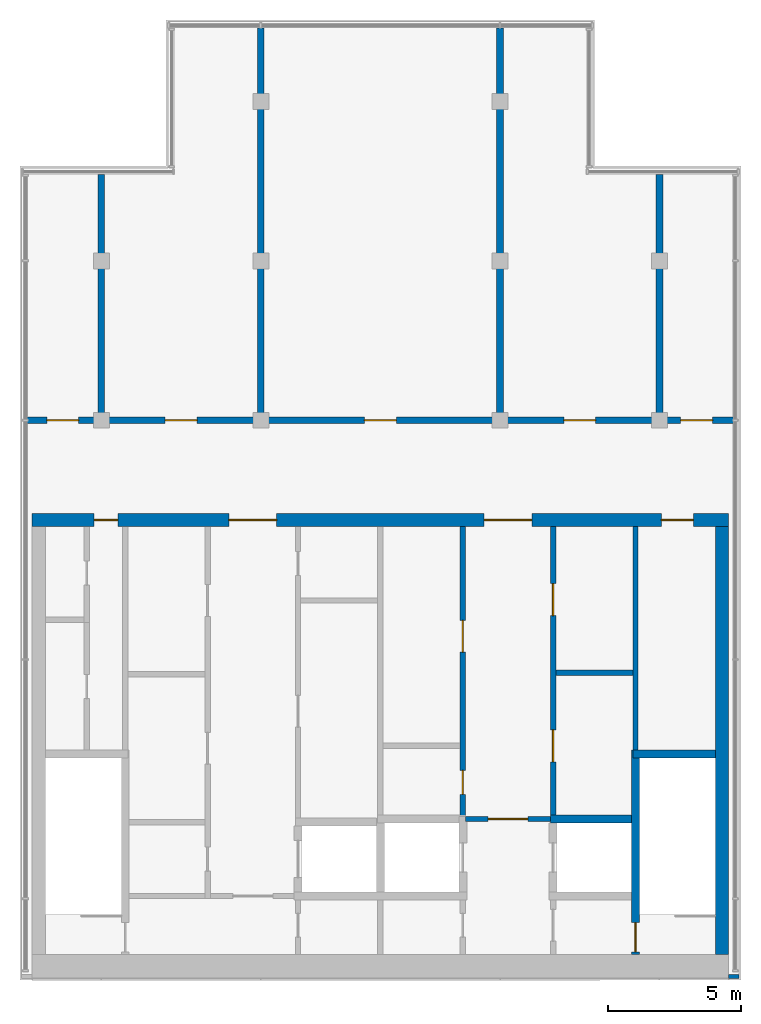
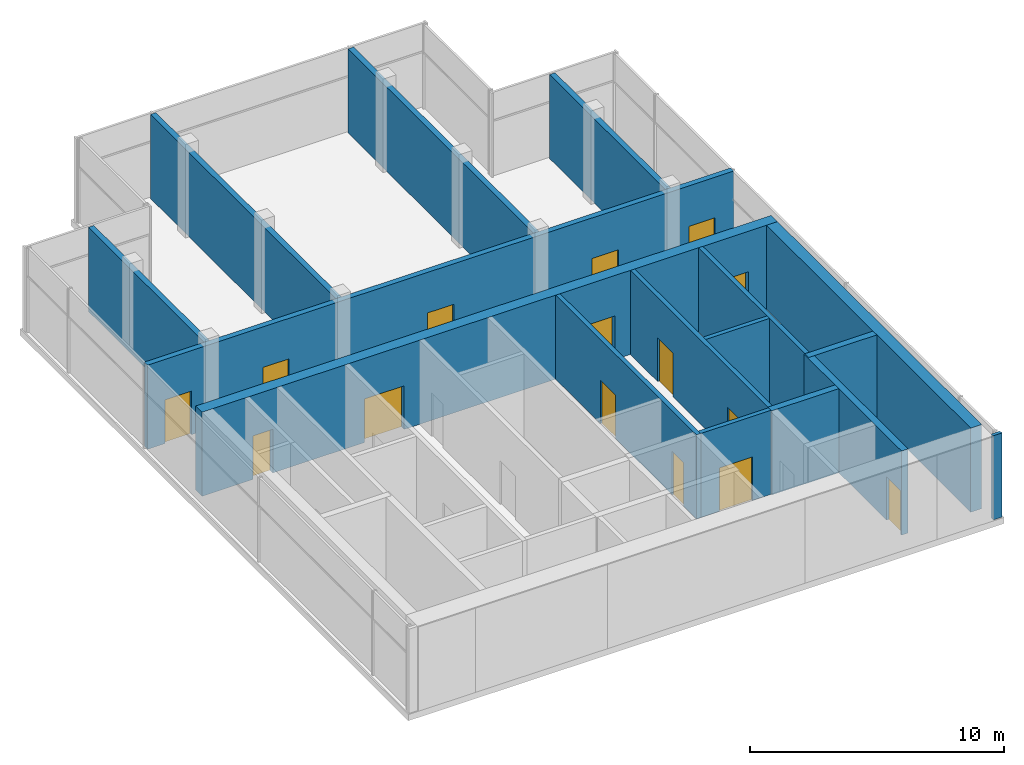
# One storey, part 3 of 4: 16 walls, 15 doors, 15 openings.
"""IFC4 building model written with IfcOpenShell, lengths in metres."""

import ifcopenshell
import ifcopenshell.guid

model = None  # the IFC model being written
_history = None  # IfcOwnerHistory: only IFC2X3 demands one
_inside = {}  # id of a spatial element -> (the spatial element, [elements in it])
_under = {}  # id of a project, library or spatial element -> (it, [spatial elements below it])
_declared = {}  # id of a project -> (the project, [libraries it declares])
_typed = {}  # id of a type object -> (the type object, [elements of that type])
_made_of = {}  # id of a material, layer set ... -> (it, [elements and type objects made of it])


def new_model(schema):
    """Start an empty IFC model of exactly this schema.

    Asked for "IFC4X3", IfcOpenShell would pick the latest addendum, in which some entities
    have other attributes; the version numbers below select the first issue.
    IFC2X3 requires an IfcOwnerHistory on every rooted entity: one is made here for all.
    """
    global model, _history
    if schema == "IFC4X3":
        model = ifcopenshell.file(schema_version=(4, 3, 0, 0))
    else:
        model = ifcopenshell.file(schema=schema)
    _inside.clear()
    _under.clear()
    _declared.clear()
    _typed.clear()
    _made_of.clear()
    _history = None
    if model.schema == "IFC2X3":
        org = make("IfcOrganization", Name="unknown")
        user = make(
            "IfcPersonAndOrganization",
            ThePerson=make("IfcPerson", FamilyName="unknown"),
            TheOrganization=org,
        )
        app = make(
            "IfcApplication",
            ApplicationDeveloper=org,
            Version="unknown",
            ApplicationFullName="unknown",
            ApplicationIdentifier="unknown",
        )
        _history = make(
            "IfcOwnerHistory",
            OwningUser=user,
            OwningApplication=app,
            ChangeAction="ADDED",
            CreationDate=0,
        )
    return model


def make(cls, **values):
    """One entity of the class cls with the attributes given. An attribute that is None is left unset."""
    return model.create_entity(
        cls, **{name: value for name, value in values.items() if value is not None}
    )


def rooted(cls, **values):
    """An entity with a GlobalId (a new one), such as an element, a storey or a relation."""
    return make(cls, GlobalId=ifcopenshell.guid.new(), OwnerHistory=_history, **values)


def si_unit(unit_type, name, prefix=None):
    """IfcSIUnit, for example si_unit("LENGTHUNIT", "METRE", prefix="MILLI")."""
    return make("IfcSIUnit", UnitType=unit_type, Prefix=prefix, Name=name)


def assignment(units):
    """IfcUnitAssignment: the units of a project."""
    return None if units is None else make("IfcUnitAssignment", Units=units)


def point(xyz):
    """IfcCartesianPoint."""
    return None if xyz is None else make("IfcCartesianPoint", Coordinates=xyz)


def direction(xyz):
    """IfcDirection."""
    return None if xyz is None else make("IfcDirection", DirectionRatios=xyz)


def frame(location, z_axis=None, x_axis=None):
    """IfcAxis2Placement3D, a coordinate frame: its origin and axes. An axis left out is left unset."""
    return make(
        "IfcAxis2Placement3D",
        Location=point(location),
        Axis=direction(z_axis),
        RefDirection=direction(x_axis),
    )


def frame_2d(location, x_axis=None):
    """IfcAxis2Placement2D, a coordinate frame in the plane: its origin and x axis."""
    return make(
        "IfcAxis2Placement2D", Location=point(location), RefDirection=direction(x_axis)
    )


def origin():
    """The frame at (0, 0, 0) with its axes left unset."""
    return frame((0.0, 0.0, 0.0))


def place(relative_to, where):
    """IfcLocalPlacement: puts the frame where relative to a parent placement (None: the world)."""
    return make(
        "IfcLocalPlacement", PlacementRelTo=relative_to, RelativePlacement=where
    )


def context(
    kind, dimensions, precision=None, world=None, true_north=None, identifier=None
):
    """IfcGeometricRepresentationContext, for example the 3D "Model" context."""
    return make(
        "IfcGeometricRepresentationContext",
        ContextIdentifier=identifier,
        ContextType=kind,
        CoordinateSpaceDimension=dimensions,
        Precision=precision,
        WorldCoordinateSystem=world,
        TrueNorth=true_north,
    )


def subcontext(parent, identifier, kind, view, scale=None):
    """IfcGeometricRepresentationSubContext, for example "Body" below "Model"."""
    return make(
        "IfcGeometricRepresentationSubContext",
        ContextIdentifier=identifier,
        ContextType=kind,
        ParentContext=parent,
        TargetScale=scale,
        TargetView=view,
    )


def project(units=None, contexts=None):
    """IfcProject with its units and contexts."""
    return rooted(
        "IfcProject",
        Name="project",
        RepresentationContexts=contexts,
        UnitsInContext=assignment(units),
    )


def spatial(cls, under=None, at=None, **own):
    """A site, building, storey or space (cls), placed at a placement, below another one or the project."""
    s = rooted(cls, ObjectPlacement=at, **own)
    if under is not None:
        _under.setdefault(under.id(), (under, []))[1].append(s)
    return s


def profile(cls, at=None, kind="AREA", **sizes):
    """A parametric profile (cls). Its sizes go by their IFC names, for example OverallWidth=200.0."""
    return make(cls, ProfileType=kind, Position=at, **sizes)


def rectangle(**sizes):
    """IfcRectangleProfileDef."""
    return profile("IfcRectangleProfileDef", **sizes)


def extrude(swept, where, along, depth):
    """IfcExtrudedAreaSolid: the profile swept, set in the frame where, extruded along a direction by depth."""
    return make(
        "IfcExtrudedAreaSolid",
        SweptArea=swept,
        Position=where,
        ExtrudedDirection=direction(along),
        Depth=depth,
    )


def shape(context_of_items, identifier, shape_type, items):
    """IfcShapeRepresentation: the items that make up one representation, for example the "Body"."""
    return make(
        "IfcShapeRepresentation",
        ContextOfItems=context_of_items,
        RepresentationIdentifier=identifier,
        RepresentationType=shape_type,
        Items=items,
    )


def material(Name=None, Category=None):
    """IfcMaterial."""
    return make("IfcMaterial", Name=Name, Category=Category)


def layer(
    of_material, thickness, ventilated=None, Name=None, Category=None, Priority=None
):
    """IfcMaterialLayer: one layer of a wall or slab, of a material (None: an air gap)."""
    return make(
        "IfcMaterialLayer",
        Material=of_material,
        LayerThickness=thickness,
        IsVentilated=ventilated,
        Name=Name,
        Category=Category,
        Priority=Priority,
    )


def layer_set(layers, Name=None):
    """IfcMaterialLayerSet."""
    return make("IfcMaterialLayerSet", MaterialLayers=layers, LayerSetName=Name)


def made_of(thing, what):
    """Note that an element or type object is made of a material, layer set ...; save() writes the relation."""
    if what is not None:
        _made_of.setdefault(what.id(), (what, []))[1].append(thing)
    return thing


def type_object(cls, material=None, **own):
    """A type object (cls), such as IfcWallType, which elements share."""
    return made_of(rooted(cls, **own), material)


def element(
    cls,
    number,
    at=None,
    inside=None,
    cuts=None,
    type_object=None,
    material=None,
    context=None,
    identifier="Body",
    shape_type=None,
    held_by="IfcProductDefinitionShape",
    body=None,
    shapes=None,
    **own,
):
    """One element of the class cls, such as IfcWall. Its Tag is "e" and its number.

    at: its placement. inside: the storey or other place that contains it. cuts: it is an
    opening in that element (IfcRelVoidsElement). A single representation is given by context,
    identifier, shape_type and body (its items); several are given by shapes. held_by: the class
    of the entity that holds the representations. save() writes the other relations.
    """
    e = rooted(cls, Tag="e%d" % number, ObjectPlacement=at, **own)
    if body is not None:
        shapes = [shape(context, identifier, shape_type, body)]
    if shapes is not None:
        e.Representation = make(held_by, Representations=shapes)
    if inside is not None:
        _inside.setdefault(inside.id(), (inside, []))[1].append(e)
    if cuts is not None:
        rooted(
            "IfcRelVoidsElement", RelatingBuildingElement=cuts, RelatedOpeningElement=e
        )
    if type_object is not None:
        _typed.setdefault(type_object.id(), (type_object, []))[1].append(e)
    return made_of(e, material)


def fill(opening, filler):
    """IfcRelFillsElement: the door or window that sits in an opening."""
    return rooted(
        "IfcRelFillsElement",
        RelatingOpeningElement=opening,
        RelatedBuildingElement=filler,
    )


def aggregate(whole, parts):
    """IfcRelAggregates: a whole, such as a stair, and the parts it consists of."""
    return rooted("IfcRelAggregates", RelatingObject=whole, RelatedObjects=parts)


def save(model, path):
    """Write the relations noted so far, then the file.

    IfcRelAggregates (storeys below a building ...), IfcRelContainedInSpatialStructure (elements
    in a storey), IfcRelDefinesByType, IfcRelAssociatesMaterial and IfcRelDeclares: one each for
    every whole, place, type object, material and project.
    """
    for whole, parts in _under.values():
        aggregate(whole, parts)
    for where, things in _inside.values():
        rooted(
            "IfcRelContainedInSpatialStructure",
            RelatedElements=things,
            RelatingStructure=where,
        )
    for kind, things in _typed.values():
        rooted("IfcRelDefinesByType", RelatedObjects=things, RelatingType=kind)
    for what, things in _made_of.values():
        rooted("IfcRelAssociatesMaterial", RelatedObjects=things, RelatingMaterial=what)
    for by, libraries in _declared.values():
        rooted("IfcRelDeclares", RelatingContext=by, RelatedDefinitions=libraries)
    model.write(path)


model = new_model("IFC4")

# Units and contexts
model_context = context("Model", 3, precision=1e-05, world=origin(), true_north=direction((0.0, 1.0)))
body_context = subcontext(model_context, "Body", "Model", "MODEL_VIEW")
ifc_project = project(units=[si_unit("LENGTHUNIT", "METRE"), si_unit("AREAUNIT", "SQUARE_METRE"), si_unit("VOLUMEUNIT", "CUBIC_METRE"), si_unit("PLANEANGLEUNIT", "RADIAN"), si_unit("MASSUNIT", "GRAM", prefix="KILO")], contexts=[model_context])

# Site, building, storey
site_placement = place(None, origin())
site = spatial("IfcSite", under=ifc_project, at=site_placement, CompositionType="ELEMENT")
building_placement = place(site_placement, origin())
building = spatial("IfcBuilding", under=site, at=building_placement, Name="Finial Court Residences", CompositionType="ELEMENT")
storey_placement = place(building_placement, frame((0.0, 0.0, 321.199951171875)))
storey = spatial("IfcBuildingStorey", under=building, at=storey_placement, Name="L81", CompositionType="ELEMENT", Elevation=321.199951171875)

# Wall, openings, doors
ifc_material_1 = material(Name="Concrete C50/60", Category="concrete")
ifc_layer_1 = layer(ifc_material_1, 0.5)
ifc_layer_set_1 = layer_set([ifc_layer_1], Name="Core outer wall 500 Concrete C50/60")
wall_type_1 = type_object("IfcWallType", Name="Core outer wall 500 Concrete C50/60", PredefinedType="SHEAR", material=ifc_layer_set_1)
wall_1_placement = place(storey_placement, frame((-13.10009765625, -8.25, 0.0), z_axis=(0.0, 0.0, 1.0), x_axis=(1.0, 0.0, 0.0)))
wall_1 = element("IfcWall", 1, at=wall_1_placement, inside=storey, type_object=wall_type_1, Name="Core outer wall L81-02", PredefinedType="SHEAR", context=body_context, shape_type="SweptSolid", body=[
    extrude(rectangle(XDim=26.2001953125, YDim=0.5, at=frame_2d((13.10009765625, 0.0))), origin(), (0.0, 0.0, 1.0), 4.050048828125),
])
opening_1_placement = place(wall_1_placement, frame((7.39990234375, 0.0, 0.0)))
opening_1 = element("IfcOpeningElement", 2, at=opening_1_placement, cuts=wall_1, Name="Opening L81-C03", PredefinedType="OPENING", context=body_context, shape_type="SweptSolid", body=[
    extrude(rectangle(XDim=1.800048828125, YDim=2.10009765625, at=frame_2d((0.89990234375, 1.050048828125))), frame((0.0, 0.260009765625, 0.0), z_axis=(0.0, -1.0, 0.0), x_axis=(1.0, 0.0, 0.0)), (0.0, 0.0, 1.0), 0.52001953125),
])
opening_2_placement = place(wall_1_placement, frame((17.0, 0.0, 0.0)))
opening_2 = element("IfcOpeningElement", 3, at=opening_2_placement, cuts=wall_1, Name="Opening L81-C04", PredefinedType="OPENING", context=body_context, shape_type="SweptSolid", body=[
    extrude(rectangle(XDim=1.800048828125, YDim=2.10009765625, at=frame_2d((0.89990234375, 1.050048828125))), frame((0.0, 0.260009765625, 0.0), z_axis=(0.0, -1.0, 0.0), x_axis=(1.0, 0.0, 0.0)), (0.0, 0.0, 1.0), 0.52001953125),
])
opening_3_placement = place(wall_1_placement, frame((2.324951171875, 0.0, 0.0)))
opening_3 = element("IfcOpeningElement", 4, at=opening_3_placement, cuts=wall_1, Name="Opening L81-C16", PredefinedType="OPENING", context=body_context, shape_type="SweptSolid", body=[
    extrude(rectangle(XDim=0.89990234375, YDim=2.10009765625, at=frame_2d((0.449951171875, 1.050048828125))), frame((0.0, 0.260009765625, 0.0), z_axis=(0.0, -1.0, 0.0), x_axis=(1.0, 0.0, 0.0)), (0.0, 0.0, 1.0), 0.52001953125),
])
opening_4_placement = place(wall_1_placement, frame((23.675048828125, 0.0, 0.0)))
opening_4 = element("IfcOpeningElement", 5, at=opening_4_placement, cuts=wall_1, Name="Opening L81-C17", PredefinedType="OPENING", context=body_context, shape_type="SweptSolid", body=[
    extrude(rectangle(XDim=1.199951171875, YDim=2.10009765625, at=frame_2d((0.60009765625, 1.050048828125))), frame((0.0, 0.260009765625, 0.0), z_axis=(0.0, -1.0, 0.0), x_axis=(1.0, 0.0, 0.0)), (0.0, 0.0, 1.0), 0.52001953125),
])
ifc_material_2 = material(Name="Steel fire door", Category="steel")
door_type_1 = type_object("IfcDoorType", Name="Lift lobby door 1800 x 2100 EI 60", OperationType="DOUBLE_DOOR_SINGLE_SWING", PredefinedType="DOOR", material=ifc_material_2)
door_1_placement = place(opening_1_placement, origin())
door_1 = element("IfcDoor", 6, at=door_1_placement, inside=storey, type_object=door_type_1, Name="Lift lobby door L81-C03", OperationType="DOUBLE_DOOR_SINGLE_SWING", OverallHeight=2.10009765625, OverallWidth=1.800048828125, PredefinedType="DOOR", context=body_context, shape_type="SweptSolid", body=[
    extrude(rectangle(XDim=1.800048828125, YDim=2.10009765625, at=frame_2d((0.89990234375, 1.050048828125))), frame((0.0, 0.02490234375, 0.0), z_axis=(0.0, -1.0, 0.0), x_axis=(1.0, 0.0, 0.0)), (0.0, 0.0, 1.0), 0.050048828125),
])
fill(opening_1, door_1)
door_2_placement = place(opening_2_placement, origin())
door_2 = element("IfcDoor", 7, at=door_2_placement, inside=storey, type_object=door_type_1, Name="Lift lobby door L81-C04", OperationType="DOUBLE_DOOR_SINGLE_SWING", OverallHeight=2.10009765625, OverallWidth=1.800048828125, PredefinedType="DOOR", context=body_context, shape_type="SweptSolid", body=[
    extrude(rectangle(XDim=1.800048828125, YDim=2.10009765625, at=frame_2d((0.89990234375, 1.050048828125))), frame((0.0, 0.02490234375, 0.0), z_axis=(0.0, -1.0, 0.0), x_axis=(1.0, 0.0, 0.0)), (0.0, 0.0, 1.0), 0.050048828125),
])
fill(opening_2, door_2)
door_type_2 = type_object("IfcDoorType", Name="Riser room door 1200 x 2100 EI 90", OperationType="NOTDEFINED", PredefinedType="DOOR", material=ifc_material_2)
door_3_placement = place(opening_4_placement, origin())
door_3 = element("IfcDoor", 8, at=door_3_placement, inside=storey, type_object=door_type_2, Name="Riser room door L81-C17", OperationType="SINGLE_SWING_RIGHT", OverallHeight=2.10009765625, OverallWidth=1.199951171875, PredefinedType="DOOR", context=body_context, shape_type="SweptSolid", body=[
    extrude(rectangle(XDim=1.199951171875, YDim=2.10009765625, at=frame_2d((0.60009765625, 1.050048828125))), frame((0.0, 0.02490234375, 0.0), z_axis=(0.0, -1.0, 0.0), x_axis=(1.0, 0.0, 0.0)), (0.0, 0.0, 1.0), 0.050048828125),
])
fill(opening_4, door_3)
door_type_3 = type_object("IfcDoorType", Name="Riser room door 900 x 2100 EI 90", OperationType="NOTDEFINED", PredefinedType="DOOR", material=ifc_material_2)
door_4_placement = place(opening_3_placement, origin())
door_4 = element("IfcDoor", 9, at=door_4_placement, inside=storey, type_object=door_type_3, Name="Riser room door L81-C16", OperationType="SINGLE_SWING_RIGHT", OverallHeight=2.10009765625, OverallWidth=0.89990234375, PredefinedType="DOOR", context=body_context, shape_type="SweptSolid", body=[
    extrude(rectangle(XDim=0.89990234375, YDim=2.10009765625, at=frame_2d((0.449951171875, 1.050048828125))), frame((0.0, 0.02490234375, 0.0), z_axis=(0.0, -1.0, 0.0), x_axis=(1.0, 0.0, 0.0)), (0.0, 0.0, 1.0), 0.050048828125),
])
fill(opening_3, door_4)

# Wall
wall_2_placement = place(storey_placement, frame((12.85009765625, -24.60009765625, 0.0), z_axis=(0.0, 0.0, 1.0), x_axis=(0.0, 1.0, 0.0)))
element("IfcWall", 10, at=wall_2_placement, inside=storey, type_object=wall_type_1, Name="Core outer wall L81-04", PredefinedType="SHEAR", context=body_context, shape_type="SweptSolid", body=[
    extrude(rectangle(XDim=16.10009765625, YDim=0.5, at=frame_2d((8.050048828125, 0.0))), origin(), (0.0, 0.0, 1.0), 4.050048828125),
])

# Wall, opening, door
ifc_material_3 = material(Name="Fire-rated gypsum board partition")
ifc_layer_2 = layer(ifc_material_3, 0.199951171875)
ifc_layer_set_2 = layer_set([ifc_layer_2], Name="Firefighting lobby wall 200 EI 120")
wall_type_2 = type_object("IfcWallType", Name="Firefighting lobby wall 200 EI 120", PredefinedType="PARTITIONING", material=ifc_layer_set_2)
wall_3_placement = place(storey_placement, frame((6.39990234375, -19.5, 0.0), z_axis=(0.0, 0.0, 1.0), x_axis=(-1.0, 0.0, 0.0)))
wall_3 = element("IfcWall", 11, at=wall_3_placement, inside=storey, type_object=wall_type_2, Name="Core partition L81-08", PredefinedType="PARTITIONING", context=body_context, shape_type="SweptSolid", body=[
    extrude(rectangle(XDim=3.199951171875, YDim=0.199951171875, at=frame_2d((1.60009765625, 0.0))), origin(), (0.0, 0.0, 1.0), 4.050048828125),
])
opening_5_placement = place(wall_3_placement, frame((0.85009765625, 0.0, 0.0)))
opening_5 = element("IfcOpeningElement", 12, at=opening_5_placement, cuts=wall_3, Name="Opening L81-C02", PredefinedType="OPENING", context=body_context, shape_type="SweptSolid", body=[
    extrude(rectangle(XDim=1.5, YDim=2.10009765625, at=frame_2d((0.75, 1.050048828125))), frame((0.0, 0.10986328125, 0.0), z_axis=(0.0, -1.0, 0.0), x_axis=(1.0, 0.0, 0.0)), (0.0, 0.0, 1.0), 0.219970703125),
])
door_type_4 = type_object("IfcDoorType", Name="Firefighting lobby door 1500 x 2100 EI 90", OperationType="DOUBLE_DOOR_SINGLE_SWING", PredefinedType="DOOR", material=ifc_material_2)
door_5_placement = place(opening_5_placement, origin())
door_5 = element("IfcDoor", 13, at=door_5_placement, inside=storey, type_object=door_type_4, Name="Firefighting lobby door L81-C02", OperationType="DOUBLE_DOOR_SINGLE_SWING", OverallHeight=2.10009765625, OverallWidth=1.5, PredefinedType="DOOR", context=body_context, shape_type="SweptSolid", body=[
    extrude(rectangle(XDim=1.5, YDim=2.10009765625, at=frame_2d((0.75, 1.050048828125))), frame((0.0, 0.02490234375, 0.0), z_axis=(0.0, -1.0, 0.0), x_axis=(1.0, 0.0, 0.0)), (0.0, 0.0, 1.0), 0.050048828125),
])
fill(opening_5, door_5)

# Walls
ifc_layer_3 = layer(ifc_material_1, 0.300048828125)
ifc_layer_set_3 = layer_set([ifc_layer_3], Name="Lift shaft and stair wall 300 Concrete C50/60")
wall_type_3 = type_object("IfcWallType", Name="Lift shaft and stair wall 300 Concrete C50/60", PredefinedType="SHEAR", material=ifc_layer_set_3)
wall_4_placement = place(storey_placement, frame((6.39990234375, -19.5, 0.0), z_axis=(0.0, 0.0, 1.0), x_axis=(1.0, 0.0, 0.0)))
element("IfcWall", 14, at=wall_4_placement, inside=storey, type_object=wall_type_3, Name="Core wall L81-09", PredefinedType="SHEAR", context=body_context, shape_type="SweptSolid", body=[
    extrude(rectangle(XDim=3.050048828125, YDim=0.300048828125, at=frame_2d((1.52490234375, 0.0))), origin(), (0.0, 0.0, 1.0), 4.050048828125),
])
wall_5_placement = place(storey_placement, frame((9.5, -17.050048828125, 0.0), z_axis=(0.0, 0.0, 1.0), x_axis=(1.0, 0.0, 0.0)))
element("IfcWall", 15, at=wall_5_placement, inside=storey, type_object=wall_type_3, Name="Core wall L81-11", PredefinedType="SHEAR", context=body_context, shape_type="SweptSolid", body=[
    extrude(rectangle(XDim=3.10009765625, YDim=0.300048828125, at=frame_2d((1.550048828125, 0.0))), origin(), (0.0, 0.0, 1.0), 4.050048828125),
])

# Wall, opening, door
wall_6_placement = place(storey_placement, frame((9.60009765625, -16.89990234375, 0.0), z_axis=(0.0, 0.0, 1.0), x_axis=(0.0, -1.0, 0.0)))
wall_6 = element("IfcWall", 16, at=wall_6_placement, inside=storey, type_object=wall_type_3, Name="Core wall L81-34", PredefinedType="SHEAR", context=body_context, shape_type="SweptSolid", body=[
    extrude(rectangle(XDim=7.7001953125, YDim=0.300048828125, at=frame_2d((3.85009765625, 0.0))), origin(), (0.0, 0.0, 1.0), 4.050048828125),
])
opening_6_placement = place(wall_6_placement, frame((6.5, 0.0, 0.0)))
opening_6 = element("IfcOpeningElement", 17, at=opening_6_placement, cuts=wall_6, Name="Opening L81-C22", PredefinedType="OPENING", context=body_context, shape_type="SweptSolid", body=[
    extrude(rectangle(XDim=1.10009765625, YDim=2.10009765625, at=frame_2d((0.550048828125, 1.050048828125))), frame((0.0, 0.159912109375, 0.0), z_axis=(0.0, -1.0, 0.0), x_axis=(1.0, 0.0, 0.0)), (0.0, 0.0, 1.0), 0.320068359375),
])
door_type_5 = type_object("IfcDoorType", Name="Stair door 1100 x 2100 EI 90", OperationType="NOTDEFINED", PredefinedType="DOOR", material=ifc_material_2)
door_6_placement = place(opening_6_placement, origin())
door_6 = element("IfcDoor", 18, at=door_6_placement, inside=storey, type_object=door_type_5, Name="Stair door L81-C22", OperationType="SINGLE_SWING_RIGHT", OverallHeight=2.10009765625, OverallWidth=1.10009765625, PredefinedType="DOOR", context=body_context, shape_type="SweptSolid", body=[
    extrude(rectangle(XDim=1.10009765625, YDim=2.10009765625, at=frame_2d((0.550048828125, 1.050048828125))), frame((0.0, 0.02490234375, 0.0), z_axis=(0.0, -1.0, 0.0), x_axis=(1.0, 0.0, 0.0)), (0.0, 0.0, 1.0), 0.050048828125),
])
fill(opening_6, door_6)

# Wall
ifc_material_4 = material(Name="Natural limestone", Category="masonry")
ifc_layer_4 = layer(ifc_material_4, 0.14990234375)
ifc_layer_set_4 = layer_set([ifc_layer_4], Name="Limestone clad wall 150")
wall_type_4 = type_object("IfcWallType", Name="Limestone clad wall 150", PredefinedType="SOLIDWALL", material=ifc_layer_set_4)
wall_7_placement = place(storey_placement, frame((13.5, -25.425048828125, 0.0), z_axis=(0.0, 0.0, 1.0), x_axis=(-1.0, 0.0, 0.0)))
element("IfcWall", 19, at=wall_7_placement, inside=storey, type_object=wall_type_4, Name="E-L81-STUBS2", PredefinedType="SOLIDWALL", context=body_context, shape_type="SweptSolid", body=[
    extrude(rectangle(XDim=0.39990234375, YDim=0.14990234375, at=frame_2d((0.199951171875, 0.0))), origin(), (0.0, 0.0, 1.0), 4.050048828125),
])

# Wall, openings, doors
ifc_material_5 = material(Name="Fire-rated board")
ifc_layer_5 = layer(ifc_material_5, 0.050048828125)
ifc_material_6 = material(Name="Mineral wool in double frame")
ifc_layer_6 = layer(ifc_material_6, 0.14990234375)
ifc_layer_7 = layer(ifc_material_5, 0.050048828125)
ifc_layer_set_5 = layer_set([ifc_layer_5, ifc_layer_6, ifc_layer_7], Name="Plant room wall 250, 2 hour")
wall_type_5 = type_object("IfcWallType", Name="Plant room wall 250, 2 hour", PredefinedType="PARTITIONING", material=ifc_layer_set_5)
wall_8_placement = place(storey_placement, frame((-13.35009765625, -4.5, 0.0), z_axis=(0.0, 0.0, 1.0), x_axis=(1.0, 0.0, 0.0)))
wall_8 = element("IfcWall", 20, at=wall_8_placement, inside=storey, type_object=wall_type_5, Name="Partition L81-000", PredefinedType="PARTITIONING", context=body_context, shape_type="SweptSolid", body=[
    extrude(rectangle(XDim=26.7001953125, YDim=0.25, at=frame_2d((13.35009765625, 0.0))), origin(), (0.0, 0.0, 1.0), 4.050048828125),
])
opening_7_placement = place(wall_8_placement, frame((0.800048828125, 0.0, 0.0)))
opening_7 = element("IfcOpeningElement", 21, at=opening_7_placement, cuts=wall_8, Name="Opening L81-D001", PredefinedType="OPENING", context=body_context, shape_type="SweptSolid", body=[
    extrude(rectangle(XDim=1.199951171875, YDim=2.10009765625, at=frame_2d((0.60009765625, 1.050048828125))), frame((0.0, 0.135009765625, 0.0), z_axis=(0.0, -1.0, 0.0), x_axis=(1.0, 0.0, 0.0)), (0.0, 0.0, 1.0), 0.27001953125),
])
opening_8_placement = place(wall_8_placement, frame((5.25, 0.0, 0.0)))
opening_8 = element("IfcOpeningElement", 22, at=opening_8_placement, cuts=wall_8, Name="Opening L81-D002", PredefinedType="OPENING", context=body_context, shape_type="SweptSolid", body=[
    extrude(rectangle(XDim=1.199951171875, YDim=2.10009765625, at=frame_2d((0.60009765625, 1.050048828125))), frame((0.0, 0.135009765625, 0.0), z_axis=(0.0, -1.0, 0.0), x_axis=(1.0, 0.0, 0.0)), (0.0, 0.0, 1.0), 0.27001953125),
])
opening_9_placement = place(wall_8_placement, frame((12.75, 0.0, 0.0)))
opening_9 = element("IfcOpeningElement", 23, at=opening_9_placement, cuts=wall_8, Name="Opening L81-D003", PredefinedType="OPENING", context=body_context, shape_type="SweptSolid", body=[
    extrude(rectangle(XDim=1.199951171875, YDim=2.10009765625, at=frame_2d((0.60009765625, 1.050048828125))), frame((0.0, 0.135009765625, 0.0), z_axis=(0.0, -1.0, 0.0), x_axis=(1.0, 0.0, 0.0)), (0.0, 0.0, 1.0), 0.27001953125),
])
opening_10_placement = place(wall_8_placement, frame((20.25, 0.0, 0.0)))
opening_10 = element("IfcOpeningElement", 24, at=opening_10_placement, cuts=wall_8, Name="Opening L81-D004", PredefinedType="OPENING", context=body_context, shape_type="SweptSolid", body=[
    extrude(rectangle(XDim=1.199951171875, YDim=2.10009765625, at=frame_2d((0.60009765625, 1.050048828125))), frame((0.0, 0.135009765625, 0.0), z_axis=(0.0, -1.0, 0.0), x_axis=(1.0, 0.0, 0.0)), (0.0, 0.0, 1.0), 0.27001953125),
])
opening_11_placement = place(wall_8_placement, frame((24.64990234375, 0.0, 0.0)))
opening_11 = element("IfcOpeningElement", 25, at=opening_11_placement, cuts=wall_8, Name="Opening L81-D005", PredefinedType="OPENING", context=body_context, shape_type="SweptSolid", body=[
    extrude(rectangle(XDim=1.199951171875, YDim=2.10009765625, at=frame_2d((0.60009765625, 1.050048828125))), frame((0.0, 0.135009765625, 0.0), z_axis=(0.0, -1.0, 0.0), x_axis=(1.0, 0.0, 0.0)), (0.0, 0.0, 1.0), 0.27001953125),
])
ifc_material_7 = material(Name="Timber door leaf in hollow metal frame", Category="wood")
door_type_6 = type_object("IfcDoorType", Name="Fire door set 1200 x 2100, 60 minutes", OperationType="SINGLE_SWING_LEFT", PredefinedType="DOOR", material=ifc_material_7)
door_7_placement = place(opening_7_placement, origin())
door_7 = element("IfcDoor", 26, at=door_7_placement, inside=storey, type_object=door_type_6, Name="Door L81-D001", OperationType="SINGLE_SWING_RIGHT", OverallHeight=2.10009765625, OverallWidth=1.199951171875, PredefinedType="DOOR", context=body_context, shape_type="SweptSolid", body=[
    extrude(rectangle(XDim=1.199951171875, YDim=2.10009765625, at=frame_2d((0.60009765625, 1.050048828125))), frame((0.0, 0.02490234375, 0.0), z_axis=(0.0, -1.0, 0.0), x_axis=(1.0, 0.0, 0.0)), (0.0, 0.0, 1.0), 0.050048828125),
])
fill(opening_7, door_7)
door_8_placement = place(opening_8_placement, origin())
door_8 = element("IfcDoor", 27, at=door_8_placement, inside=storey, type_object=door_type_6, Name="Door L81-D002", OperationType="SINGLE_SWING_RIGHT", OverallHeight=2.10009765625, OverallWidth=1.199951171875, PredefinedType="DOOR", context=body_context, shape_type="SweptSolid", body=[
    extrude(rectangle(XDim=1.199951171875, YDim=2.10009765625, at=frame_2d((0.60009765625, 1.050048828125))), frame((0.0, 0.02490234375, 0.0), z_axis=(0.0, -1.0, 0.0), x_axis=(1.0, 0.0, 0.0)), (0.0, 0.0, 1.0), 0.050048828125),
])
fill(opening_8, door_8)
door_9_placement = place(opening_9_placement, origin())
door_9 = element("IfcDoor", 28, at=door_9_placement, inside=storey, type_object=door_type_6, Name="Door L81-D003", OperationType="SINGLE_SWING_RIGHT", OverallHeight=2.10009765625, OverallWidth=1.199951171875, PredefinedType="DOOR", context=body_context, shape_type="SweptSolid", body=[
    extrude(rectangle(XDim=1.199951171875, YDim=2.10009765625, at=frame_2d((0.60009765625, 1.050048828125))), frame((0.0, 0.02490234375, 0.0), z_axis=(0.0, -1.0, 0.0), x_axis=(1.0, 0.0, 0.0)), (0.0, 0.0, 1.0), 0.050048828125),
])
fill(opening_9, door_9)
door_10_placement = place(opening_10_placement, origin())
door_10 = element("IfcDoor", 29, at=door_10_placement, inside=storey, type_object=door_type_6, Name="Door L81-D004", OperationType="SINGLE_SWING_LEFT", OverallHeight=2.10009765625, OverallWidth=1.199951171875, PredefinedType="DOOR", context=body_context, shape_type="SweptSolid", body=[
    extrude(rectangle(XDim=1.199951171875, YDim=2.10009765625, at=frame_2d((0.60009765625, 1.050048828125))), frame((0.0, 0.02490234375, 0.0), z_axis=(0.0, -1.0, 0.0), x_axis=(1.0, 0.0, 0.0)), (0.0, 0.0, 1.0), 0.050048828125),
])
fill(opening_10, door_10)
door_11_placement = place(opening_11_placement, origin())
door_11 = element("IfcDoor", 30, at=door_11_placement, inside=storey, type_object=door_type_6, Name="Door L81-D005", OperationType="SINGLE_SWING_LEFT", OverallHeight=2.10009765625, OverallWidth=1.199951171875, PredefinedType="DOOR", context=body_context, shape_type="SweptSolid", body=[
    extrude(rectangle(XDim=1.199951171875, YDim=2.10009765625, at=frame_2d((0.60009765625, 1.050048828125))), frame((0.0, 0.02490234375, 0.0), z_axis=(0.0, -1.0, 0.0), x_axis=(1.0, 0.0, 0.0)), (0.0, 0.0, 1.0), 0.050048828125),
])
fill(opening_11, door_11)

# Walls
wall_9_placement = place(storey_placement, frame((-10.5, -4.375, 0.0), z_axis=(0.0, 0.0, 1.0), x_axis=(0.0, 1.0, 0.0)))
element("IfcWall", 31, at=wall_9_placement, inside=storey, type_object=wall_type_5, Name="Partition L81-001", PredefinedType="PARTITIONING", context=body_context, shape_type="SweptSolid", body=[
    extrude(rectangle(XDim=9.125, YDim=0.25, at=frame_2d((4.5625, 0.0))), origin(), (0.0, 0.0, 1.0), 4.050048828125),
])
for number, where, z_axis, x_axis, name in (
    (32, (-4.5, -4.375, 0.0), (0.0, 0.0, 1.0), (0.0, 1.0, 0.0), "Partition L81-002"),
    (33, (4.5, -4.375, 0.0), (0.0, 0.0, 1.0), (0.0, 1.0, 0.0), "Partition L81-003"),
):
    element("IfcWall", number, at=place(storey_placement, frame(where, z_axis=z_axis, x_axis=x_axis)), inside=storey, type_object=wall_type_5, Name=name, PredefinedType="PARTITIONING", context=body_context, shape_type="SweptSolid", body=[
        extrude(rectangle(XDim=14.625, YDim=0.25, at=frame_2d((7.3125, 0.0))), origin(), (0.0, 0.0, 1.0), 4.050048828125),
    ])
wall_10_placement = place(storey_placement, frame((10.5, -4.375, 0.0), z_axis=(0.0, 0.0, 1.0), x_axis=(0.0, 1.0, 0.0)))
element("IfcWall", 34, at=wall_10_placement, inside=storey, type_object=wall_type_5, Name="Partition L81-004", PredefinedType="PARTITIONING", context=body_context, shape_type="SweptSolid", body=[
    extrude(rectangle(XDim=9.125, YDim=0.25, at=frame_2d((4.5625, 0.0))), origin(), (0.0, 0.0, 1.0), 4.050048828125),
])
ifc_layer_8 = layer(ifc_material_3, 0.199951171875)
ifc_layer_set_6 = layer_set([ifc_layer_8], Name="Riser room wall 200 EI 120")
wall_type_6 = type_object("IfcWallType", Name="Riser room wall 200 EI 120", PredefinedType="PARTITIONING", material=ifc_layer_set_6)
wall_11_placement = place(storey_placement, frame((6.60009765625, -14.0, 0.0), z_axis=(0.0, 0.0, 1.0), x_axis=(1.0, 0.0, 0.0)))
element("IfcWall", 35, at=wall_11_placement, inside=storey, type_object=wall_type_6, Name="Core partition L81-14", PredefinedType="PARTITIONING", context=body_context, shape_type="SweptSolid", body=[
    extrude(rectangle(XDim=2.89990234375, YDim=0.199951171875, at=frame_2d((1.449951171875, 0.0))), origin(), (0.0, 0.0, 1.0), 4.050048828125),
])

# Wall, openings, doors
wall_12_placement = place(storey_placement, frame((3.10009765625, -19.60009765625, 0.0), z_axis=(0.0, 0.0, 1.0), x_axis=(0.0, 1.0, 0.0)))
wall_12 = element("IfcWall", 36, at=wall_12_placement, inside=storey, type_object=wall_type_6, Name="Core partition L81-30", PredefinedType="PARTITIONING", context=body_context, shape_type="SweptSolid", body=[
    extrude(rectangle(XDim=11.10009765625, YDim=0.199951171875, at=frame_2d((5.550048828125, 0.0))), origin(), (0.0, 0.0, 1.0), 4.050048828125),
])
opening_12_placement = place(wall_12_placement, frame((1.02490234375, 0.0, 0.0)))
opening_12 = element("IfcOpeningElement", 37, at=opening_12_placement, cuts=wall_12, Name="Opening L81-C12", PredefinedType="OPENING", context=body_context, shape_type="SweptSolid", body=[
    extrude(rectangle(XDim=0.89990234375, YDim=2.10009765625, at=frame_2d((0.449951171875, 1.050048828125))), frame((0.0, 0.10986328125, 0.0), z_axis=(0.0, -1.0, 0.0), x_axis=(1.0, 0.0, 0.0)), (0.0, 0.0, 1.0), 0.219970703125),
])
opening_13_placement = place(wall_12_placement, frame((6.375, 0.0, 0.0)))
opening_13 = element("IfcOpeningElement", 38, at=opening_13_placement, cuts=wall_12, Name="Opening L81-C13", PredefinedType="OPENING", context=body_context, shape_type="SweptSolid", body=[
    extrude(rectangle(XDim=1.199951171875, YDim=2.10009765625, at=frame_2d((0.60009765625, 1.050048828125))), frame((0.0, 0.10986328125, 0.0), z_axis=(0.0, -1.0, 0.0), x_axis=(1.0, 0.0, 0.0)), (0.0, 0.0, 1.0), 0.219970703125),
])
door_12_placement = place(opening_13_placement, origin())
door_12 = element("IfcDoor", 39, at=door_12_placement, inside=storey, type_object=door_type_2, Name="Riser room door L81-C13", OperationType="SINGLE_SWING_LEFT", OverallHeight=2.10009765625, OverallWidth=1.199951171875, PredefinedType="DOOR", context=body_context, shape_type="SweptSolid", body=[
    extrude(rectangle(XDim=1.199951171875, YDim=2.10009765625, at=frame_2d((0.60009765625, 1.050048828125))), frame((0.0, 0.02490234375, 0.0), z_axis=(0.0, -1.0, 0.0), x_axis=(1.0, 0.0, 0.0)), (0.0, 0.0, 1.0), 0.050048828125),
])
fill(opening_13, door_12)
door_13_placement = place(opening_12_placement, origin())
door_13 = element("IfcDoor", 40, at=door_13_placement, inside=storey, type_object=door_type_3, Name="Riser room door L81-C12", OperationType="SINGLE_SWING_LEFT", OverallHeight=2.10009765625, OverallWidth=0.89990234375, PredefinedType="DOOR", context=body_context, shape_type="SweptSolid", body=[
    extrude(rectangle(XDim=0.89990234375, YDim=2.10009765625, at=frame_2d((0.449951171875, 1.050048828125))), frame((0.0, 0.02490234375, 0.0), z_axis=(0.0, -1.0, 0.0), x_axis=(1.0, 0.0, 0.0)), (0.0, 0.0, 1.0), 0.050048828125),
])
fill(opening_12, door_13)

wall_13_placement = place(storey_placement, frame((6.5, -8.5, 0.0), z_axis=(0.0, 0.0, 1.0), x_axis=(0.0, -1.0, 0.0)))
wall_13 = element("IfcWall", 41, at=wall_13_placement, inside=storey, type_object=wall_type_6, Name="Core partition L81-33", PredefinedType="PARTITIONING", context=body_context, shape_type="SweptSolid", body=[
    extrude(rectangle(XDim=10.85009765625, YDim=0.199951171875, at=frame_2d((5.425048828125, 0.0))), origin(), (0.0, 0.0, 1.0), 4.050048828125),
])
opening_14_placement = place(wall_13_placement, frame((7.64990234375, 0.0, 0.0)))
opening_14 = element("IfcOpeningElement", 42, at=opening_14_placement, cuts=wall_13, Name="Opening L81-C14", PredefinedType="OPENING", context=body_context, shape_type="SweptSolid", body=[
    extrude(rectangle(XDim=1.199951171875, YDim=2.10009765625, at=frame_2d((0.60009765625, 1.050048828125))), frame((0.0, 0.10986328125, 0.0), z_axis=(0.0, -1.0, 0.0), x_axis=(1.0, 0.0, 0.0)), (0.0, 0.0, 1.0), 0.219970703125),
])
opening_15_placement = place(wall_13_placement, frame((2.14990234375, 0.0, 0.0)))
opening_15 = element("IfcOpeningElement", 43, at=opening_15_placement, cuts=wall_13, Name="Opening L81-C15", PredefinedType="OPENING", context=body_context, shape_type="SweptSolid", body=[
    extrude(rectangle(XDim=1.199951171875, YDim=2.10009765625, at=frame_2d((0.60009765625, 1.050048828125))), frame((0.0, 0.10986328125, 0.0), z_axis=(0.0, -1.0, 0.0), x_axis=(1.0, 0.0, 0.0)), (0.0, 0.0, 1.0), 0.219970703125),
])
door_14_placement = place(opening_14_placement, origin())
door_14 = element("IfcDoor", 44, at=door_14_placement, inside=storey, type_object=door_type_2, Name="Riser room door L81-C14", OperationType="SINGLE_SWING_RIGHT", OverallHeight=2.10009765625, OverallWidth=1.199951171875, PredefinedType="DOOR", context=body_context, shape_type="SweptSolid", body=[
    extrude(rectangle(XDim=1.199951171875, YDim=2.10009765625, at=frame_2d((0.60009765625, 1.050048828125))), frame((0.0, 0.02490234375, 0.0), z_axis=(0.0, -1.0, 0.0), x_axis=(1.0, 0.0, 0.0)), (0.0, 0.0, 1.0), 0.050048828125),
])
fill(opening_14, door_14)
door_15_placement = place(opening_15_placement, origin())
door_15 = element("IfcDoor", 45, at=door_15_placement, inside=storey, type_object=door_type_2, Name="Riser room door L81-C15", OperationType="SINGLE_SWING_RIGHT", OverallHeight=2.10009765625, OverallWidth=1.199951171875, PredefinedType="DOOR", context=body_context, shape_type="SweptSolid", body=[
    extrude(rectangle(XDim=1.199951171875, YDim=2.10009765625, at=frame_2d((0.60009765625, 1.050048828125))), frame((0.0, 0.02490234375, 0.0), z_axis=(0.0, -1.0, 0.0), x_axis=(1.0, 0.0, 0.0)), (0.0, 0.0, 1.0), 0.050048828125),
])
fill(opening_15, door_15)

# Wall
wall_14_placement = place(storey_placement, frame((9.60009765625, -16.89990234375, 0.0), z_axis=(0.0, 0.0, 1.0), x_axis=(0.0, 1.0, 0.0)))
element("IfcWall", 46, at=wall_14_placement, inside=storey, type_object=wall_type_6, Name="Core partition L81-35", PredefinedType="PARTITIONING", context=body_context, shape_type="SweptSolid", body=[
    extrude(rectangle(XDim=8.39990234375, YDim=0.199951171875, at=frame_2d((4.199951171875, 0.0))), origin(), (0.0, 0.0, 1.0), 4.050048828125),
])

save(model, "model.ifc")
